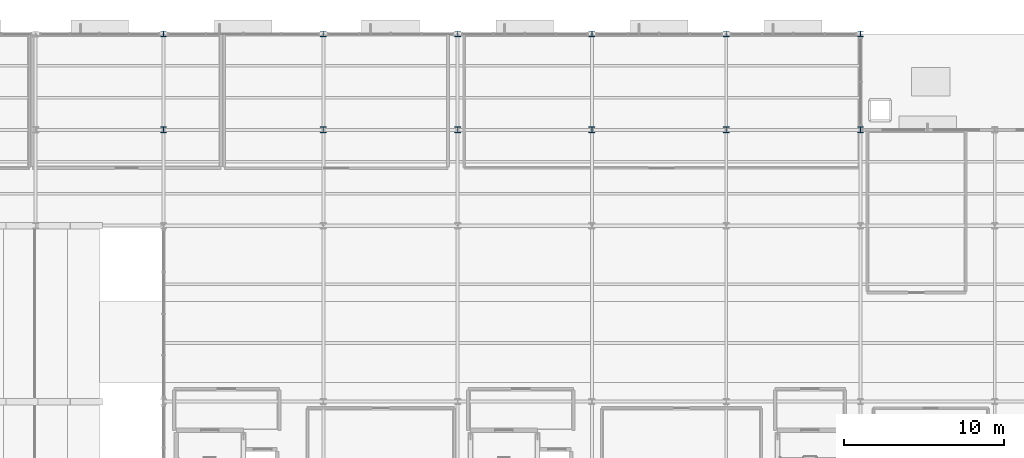
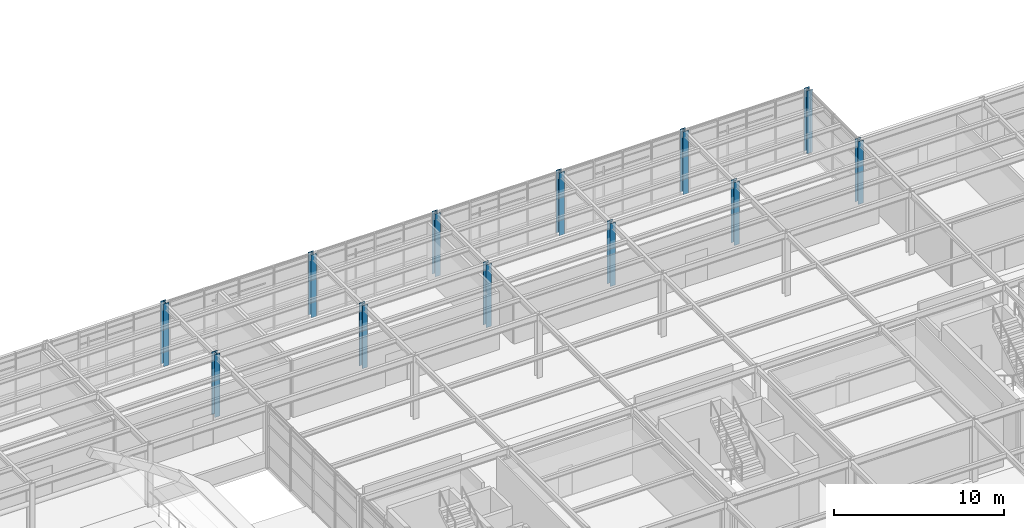
# One storey, part 11 of 82: 12 columns.
"""IFC4 building model written with IfcOpenShell, lengths in metres."""

import ifcopenshell
import ifcopenshell.guid

model = None  # the IFC model being written
_history = None  # IfcOwnerHistory: only IFC2X3 demands one
_inside = {}  # id of a spatial element -> (the spatial element, [elements in it])
_under = {}  # id of a project, library or spatial element -> (it, [spatial elements below it])
_declared = {}  # id of a project -> (the project, [libraries it declares])
_typed = {}  # id of a type object -> (the type object, [elements of that type])
_made_of = {}  # id of a material, layer set ... -> (it, [elements and type objects made of it])


def new_model(schema):
    """Start an empty IFC model of exactly this schema.

    Asked for "IFC4X3", IfcOpenShell would pick the latest addendum, in which some entities
    have other attributes; the version numbers below select the first issue.
    IFC2X3 requires an IfcOwnerHistory on every rooted entity: one is made here for all.
    """
    global model, _history
    if schema == "IFC4X3":
        model = ifcopenshell.file(schema_version=(4, 3, 0, 0))
    else:
        model = ifcopenshell.file(schema=schema)
    _inside.clear()
    _under.clear()
    _declared.clear()
    _typed.clear()
    _made_of.clear()
    _history = None
    if model.schema == "IFC2X3":
        org = make("IfcOrganization", Name="unknown")
        user = make(
            "IfcPersonAndOrganization",
            ThePerson=make("IfcPerson", FamilyName="unknown"),
            TheOrganization=org,
        )
        app = make(
            "IfcApplication",
            ApplicationDeveloper=org,
            Version="unknown",
            ApplicationFullName="unknown",
            ApplicationIdentifier="unknown",
        )
        _history = make(
            "IfcOwnerHistory",
            OwningUser=user,
            OwningApplication=app,
            ChangeAction="ADDED",
            CreationDate=0,
        )
    return model


def make(cls, **values):
    """One entity of the class cls with the attributes given. An attribute that is None is left unset."""
    return model.create_entity(
        cls, **{name: value for name, value in values.items() if value is not None}
    )


def rooted(cls, **values):
    """An entity with a GlobalId (a new one), such as an element, a storey or a relation."""
    return make(cls, GlobalId=ifcopenshell.guid.new(), OwnerHistory=_history, **values)


def si_unit(unit_type, name, prefix=None):
    """IfcSIUnit, for example si_unit("LENGTHUNIT", "METRE", prefix="MILLI")."""
    return make("IfcSIUnit", UnitType=unit_type, Prefix=prefix, Name=name)


def assignment(units):
    """IfcUnitAssignment: the units of a project."""
    return None if units is None else make("IfcUnitAssignment", Units=units)


def point(xyz):
    """IfcCartesianPoint."""
    return None if xyz is None else make("IfcCartesianPoint", Coordinates=xyz)


def direction(xyz):
    """IfcDirection."""
    return None if xyz is None else make("IfcDirection", DirectionRatios=xyz)


def frame(location, z_axis=None, x_axis=None):
    """IfcAxis2Placement3D, a coordinate frame: its origin and axes. An axis left out is left unset."""
    return make(
        "IfcAxis2Placement3D",
        Location=point(location),
        Axis=direction(z_axis),
        RefDirection=direction(x_axis),
    )


def frame_2d(location, x_axis=None):
    """IfcAxis2Placement2D, a coordinate frame in the plane: its origin and x axis."""
    return make(
        "IfcAxis2Placement2D", Location=point(location), RefDirection=direction(x_axis)
    )


def origin():
    """The frame at (0, 0, 0) with its axes left unset."""
    return frame((0.0, 0.0, 0.0))


def origin_2d():
    """The frame at (0, 0) in the plane with its x axis left unset."""
    return frame_2d((0.0, 0.0))


def place(relative_to, where):
    """IfcLocalPlacement: puts the frame where relative to a parent placement (None: the world)."""
    return make(
        "IfcLocalPlacement", PlacementRelTo=relative_to, RelativePlacement=where
    )


def context(
    kind, dimensions, precision=None, world=None, true_north=None, identifier=None
):
    """IfcGeometricRepresentationContext, for example the 3D "Model" context."""
    return make(
        "IfcGeometricRepresentationContext",
        ContextIdentifier=identifier,
        ContextType=kind,
        CoordinateSpaceDimension=dimensions,
        Precision=precision,
        WorldCoordinateSystem=world,
        TrueNorth=true_north,
    )


def subcontext(parent, identifier, kind, view, scale=None):
    """IfcGeometricRepresentationSubContext, for example "Body" below "Model"."""
    return make(
        "IfcGeometricRepresentationSubContext",
        ContextIdentifier=identifier,
        ContextType=kind,
        ParentContext=parent,
        TargetScale=scale,
        TargetView=view,
    )


def project(units=None, contexts=None):
    """IfcProject with its units and contexts."""
    return rooted(
        "IfcProject",
        Name="project",
        RepresentationContexts=contexts,
        UnitsInContext=assignment(units),
    )


def spatial(cls, under=None, at=None, **own):
    """A site, building, storey or space (cls), placed at a placement, below another one or the project."""
    s = rooted(cls, ObjectPlacement=at, **own)
    if under is not None:
        _under.setdefault(under.id(), (under, []))[1].append(s)
    return s


def profile(cls, at=None, kind="AREA", **sizes):
    """A parametric profile (cls). Its sizes go by their IFC names, for example OverallWidth=200.0."""
    return make(cls, ProfileType=kind, Position=at, **sizes)


def i_section(**sizes):
    """IfcIShapeProfileDef."""
    return profile("IfcIShapeProfileDef", **sizes)


def extrude(swept, where, along, depth):
    """IfcExtrudedAreaSolid: the profile swept, set in the frame where, extruded along a direction by depth."""
    return make(
        "IfcExtrudedAreaSolid",
        SweptArea=swept,
        Position=where,
        ExtrudedDirection=direction(along),
        Depth=depth,
    )


def shape(context_of_items, identifier, shape_type, items):
    """IfcShapeRepresentation: the items that make up one representation, for example the "Body"."""
    return make(
        "IfcShapeRepresentation",
        ContextOfItems=context_of_items,
        RepresentationIdentifier=identifier,
        RepresentationType=shape_type,
        Items=items,
    )


def material(Name=None, Category=None):
    """IfcMaterial."""
    return make("IfcMaterial", Name=Name, Category=Category)


def material_profile(
    of_material, cross_section, Name=None, Category=None, Priority=None
):
    """IfcMaterialProfile: a cross section and its material."""
    return make(
        "IfcMaterialProfile",
        Name=Name,
        Material=of_material,
        Profile=cross_section,
        Priority=Priority,
        Category=Category,
    )


def profile_set(profiles, Name=None, composite=None):
    """IfcMaterialProfileSet."""
    return make(
        "IfcMaterialProfileSet",
        Name=Name,
        MaterialProfiles=profiles,
        CompositeProfile=composite,
    )


def made_of(thing, what):
    """Note that an element or type object is made of a material, layer set ...; save() writes the relation."""
    if what is not None:
        _made_of.setdefault(what.id(), (what, []))[1].append(thing)
    return thing


def type_object(cls, material=None, **own):
    """A type object (cls), such as IfcWallType, which elements share."""
    return made_of(rooted(cls, **own), material)


def element(
    cls,
    number,
    at=None,
    inside=None,
    cuts=None,
    type_object=None,
    material=None,
    context=None,
    identifier="Body",
    shape_type=None,
    held_by="IfcProductDefinitionShape",
    body=None,
    shapes=None,
    **own,
):
    """One element of the class cls, such as IfcWall. Its Tag is "e" and its number.

    at: its placement. inside: the storey or other place that contains it. cuts: it is an
    opening in that element (IfcRelVoidsElement). A single representation is given by context,
    identifier, shape_type and body (its items); several are given by shapes. held_by: the class
    of the entity that holds the representations. save() writes the other relations.
    """
    e = rooted(cls, Tag="e%d" % number, ObjectPlacement=at, **own)
    if body is not None:
        shapes = [shape(context, identifier, shape_type, body)]
    if shapes is not None:
        e.Representation = make(held_by, Representations=shapes)
    if inside is not None:
        _inside.setdefault(inside.id(), (inside, []))[1].append(e)
    if cuts is not None:
        rooted(
            "IfcRelVoidsElement", RelatingBuildingElement=cuts, RelatedOpeningElement=e
        )
    if type_object is not None:
        _typed.setdefault(type_object.id(), (type_object, []))[1].append(e)
    return made_of(e, material)


def aggregate(whole, parts):
    """IfcRelAggregates: a whole, such as a stair, and the parts it consists of."""
    return rooted("IfcRelAggregates", RelatingObject=whole, RelatedObjects=parts)


def save(model, path):
    """Write the relations noted so far, then the file.

    IfcRelAggregates (storeys below a building ...), IfcRelContainedInSpatialStructure (elements
    in a storey), IfcRelDefinesByType, IfcRelAssociatesMaterial and IfcRelDeclares: one each for
    every whole, place, type object, material and project.
    """
    for whole, parts in _under.values():
        aggregate(whole, parts)
    for where, things in _inside.values():
        rooted(
            "IfcRelContainedInSpatialStructure",
            RelatedElements=things,
            RelatingStructure=where,
        )
    for kind, things in _typed.values():
        rooted("IfcRelDefinesByType", RelatedObjects=things, RelatingType=kind)
    for what, things in _made_of.values():
        rooted("IfcRelAssociatesMaterial", RelatedObjects=things, RelatingMaterial=what)
    for by, libraries in _declared.values():
        rooted("IfcRelDeclares", RelatingContext=by, RelatedDefinitions=libraries)
    model.write(path)


model = new_model("IFC4")

# Units and contexts
model_context = context("Model", 3, precision=1e-05, world=origin(), true_north=direction((0.0, 1.0)))
body_context = subcontext(model_context, "Body", "Model", "MODEL_VIEW")
ifc_project = project(units=[si_unit("LENGTHUNIT", "METRE"), si_unit("AREAUNIT", "SQUARE_METRE"), si_unit("VOLUMEUNIT", "CUBIC_METRE"), si_unit("PLANEANGLEUNIT", "RADIAN"), si_unit("MASSUNIT", "GRAM", prefix="KILO")], contexts=[model_context])

# Site, building, storey
site_placement = place(None, origin())
site = spatial("IfcSite", under=ifc_project, at=site_placement, CompositionType="ELEMENT")
building_placement = place(site_placement, origin())
building = spatial("IfcBuilding", under=site, at=building_placement, Name="Sitalva Quay Ferry Terminal", CompositionType="ELEMENT")
storey_placement = place(building_placement, frame((0.0, 0.0, 5.39990234375)))
storey = spatial("IfcBuildingStorey", under=building, at=storey_placement, Name="L02", CompositionType="ELEMENT", Elevation=5.39990234375)

# Columns
ifc_material = material(Name="Structural Steel S355JR", Category="steel")
ifc_material_profile = material_profile(ifc_material, i_section(OverallWidth=0.368896484375, OverallDepth=0.35595703125, WebThickness=0.01123046875, FlangeThickness=0.01806640625, FilletRadius=0.014892578125, at=origin_2d()), Name="W360x134")
ifc_profile_set = profile_set([ifc_material_profile], Name="Structural Steel S355JR")
column_type = type_object("IfcColumnType", Name="Col_W360x134", PredefinedType="COLUMN", material=ifc_profile_set)
for number, where, z_axis, x_axis, name in (
    (1, (74.0, 106.0, 0.0), (0.0, 0.0, 1.0), (1.0, 0.0, 0.0), "L02 column 10M"),
    (2, (84.0, 106.0, 0.0), (0.0, 0.0, 1.0), (1.0, 0.0, 0.0), "L02 column 11M"),
    (3, (92.39990234375, 106.0, 0.0), (0.0, 0.0, 1.0), (1.0, 0.0, 0.0), "L02 column 12M"),
    (4, (100.800048828125, 106.0, 0.0), (0.0, 0.0, 1.0), (1.0, 0.0, 0.0), "L02 column 13M"),
    (5, (109.199951171875, 106.0, 0.0), (0.0, 0.0, 1.0), (1.0, 0.0, 0.0), "L02 column 14M"),
    (6, (117.60009765625, 106.0, 0.0), (0.0, 0.0, 1.0), (1.0, 0.0, 0.0), "L02 column 15M"),
    (7, (74.0, 112.0, 0.0), (0.0, 0.0, 1.0), (1.0, 0.0, 0.0), "L02 column 10N"),
    (8, (84.0, 112.0, 0.0), (0.0, 0.0, 1.0), (1.0, 0.0, 0.0), "L02 column 11N"),
    (9, (92.39990234375, 112.0, 0.0), (0.0, 0.0, 1.0), (1.0, 0.0, 0.0), "L02 column 12N"),
    (10, (100.800048828125, 112.0, 0.0), (0.0, 0.0, 1.0), (1.0, 0.0, 0.0), "L02 column 13N"),
    (11, (109.199951171875, 112.0, 0.0), (0.0, 0.0, 1.0), (1.0, 0.0, 0.0), "L02 column 14N"),
    (12, (117.60009765625, 112.0, 0.0), (0.0, 0.0, 1.0), (1.0, 0.0, 0.0), "L02 column 15N"),
):
    element("IfcColumn", number, at=place(storey_placement, frame(where, z_axis=z_axis, x_axis=x_axis)), inside=storey, type_object=column_type, Name=name, PredefinedType="COLUMN", context=body_context, shape_type="SweptSolid", body=[
        extrude(i_section(OverallWidth=0.368896484375, OverallDepth=0.35595703125, WebThickness=0.01123046875, FlangeThickness=0.01806640625, FilletRadius=0.014892578125, at=origin_2d()), origin(), (0.0, 0.0, 1.0), 4.5),
    ])

save(model, "model.ifc")
